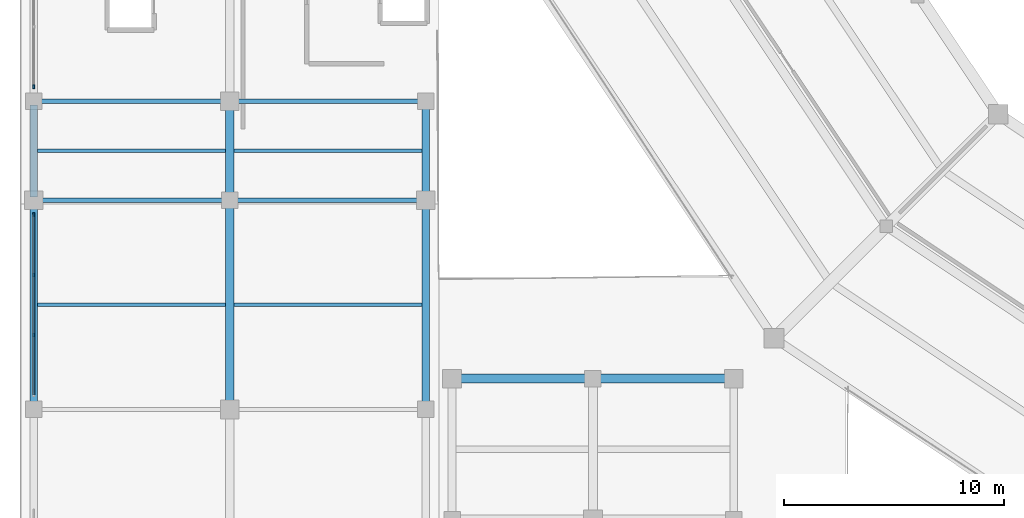
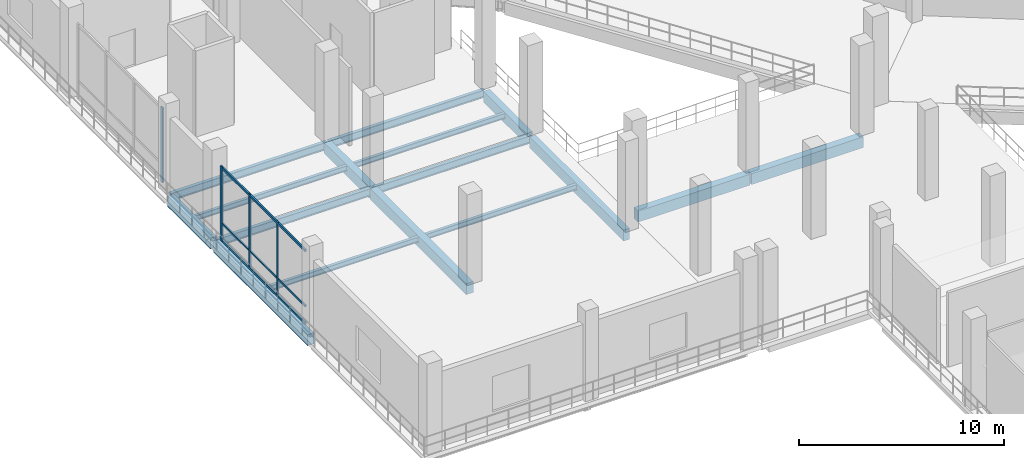
# One storey, part 16 of 114: 16 beams, 7 members, 2 elements without a shape of their own.
"""IFC4 building model written with IfcOpenShell, lengths in metres."""

from ifc_helpers import new_model, si_unit, direction, frame, origin, origin_2d, place, context, subcontext, project, spatial, rectangle, i_section, extrude, material, material_profile, profile_set, type_object, element, aggregate, save


model = new_model("IFC4")

# Units and contexts
model_context = context("Model", 3, precision=1e-05, world=origin(), true_north=direction((0.0, 1.0)))
body_context = subcontext(model_context, "Body", "Model", "MODEL_VIEW")
ifc_project = project(units=[si_unit("LENGTHUNIT", "METRE"), si_unit("AREAUNIT", "SQUARE_METRE"), si_unit("VOLUMEUNIT", "CUBIC_METRE"), si_unit("PLANEANGLEUNIT", "RADIAN"), si_unit("MASSUNIT", "GRAM", prefix="KILO")], contexts=[model_context])

# Site, building, storey
site_placement = place(None, origin())
site = spatial("IfcSite", under=ifc_project, at=site_placement, CompositionType="ELEMENT")
building_placement = place(site_placement, origin())
building = spatial("IfcBuilding", under=site, at=building_placement, Name="Candeia Ridge Stadium", CompositionType="ELEMENT")
storey_placement = place(building_placement, frame((0.0, 0.0, 5.39990234375)))
storey = spatial("IfcBuildingStorey", under=building, at=storey_placement, Name="L01", CompositionType="ELEMENT", Elevation=5.39990234375)

# Curtain wall, member
ifc_material_1 = material(Name="Aluminium Anodized Warm Bronze", Category="aluminium")
curtain_wall_type = type_object("IfcCurtainWallType", Name="Cardinal Entrance Gate Tall Glazed Curtain Wall", PredefinedType="NOTDEFINED", material=ifc_material_1)
curtain_wall_1_placement = place(storey_placement, origin())
curtain_wall_1 = element("IfcCurtainWall", 1, at=curtain_wall_1_placement, inside=storey, type_object=curtain_wall_type, Name="Unitised curtain wall CW-WNG-L01-075", PredefinedType="NOTDEFINED")
ifc_material_profile_1 = material_profile(ifc_material_1, rectangle(XDim=0.090087890625, YDim=0.179931640625, at=origin_2d()), Name="CWM-90x180", Category="aluminium")
ifc_profile_set_1 = profile_set([ifc_material_profile_1], Name="Aluminium Anodized Warm Bronze")
member_type_1 = type_object("IfcMemberType", Name="Curtain Wall Primary Mullion 90x180", PredefinedType="MULLION", material=ifc_profile_set_1)
member_1_placement = place(storey_placement, frame((0.60009765625, 39.840087890625, 0.0), z_axis=(0.0, 0.0, 1.0), x_axis=(1.0, 0.0, 0.0)))
member_1 = element("IfcMember", 2, at=member_1_placement, type_object=member_type_1, Name="Curtain wall mullion CW-WNG-L01-075-M3", PredefinedType="MULLION", context=body_context, shape_type="SweptSolid", body=[
    extrude(rectangle(XDim=0.090087890625, YDim=0.179931640625, at=origin_2d()), origin(), (0.0, 0.0, 1.0), 4.47509765625),
])

curtain_wall_2_placement = place(storey_placement, origin())
curtain_wall_2 = element("IfcCurtainWall", 3, at=curtain_wall_2_placement, inside=storey, type_object=curtain_wall_type, Name="Unitised curtain wall CW-WNG-L01-076", PredefinedType="NOTDEFINED")
member_2_placement = place(storey_placement, frame((0.60009765625, 45.659912109375, 0.0), z_axis=(0.0, 0.0, 1.0), x_axis=(1.0, 0.0, 0.0)))
member_2 = element("IfcMember", 4, at=member_2_placement, type_object=member_type_1, Name="Curtain wall mullion CW-WNG-L01-076-M0", PredefinedType="MULLION", context=body_context, shape_type="SweptSolid", body=[
    extrude(rectangle(XDim=0.090087890625, YDim=0.179931640625, at=origin_2d()), origin(), (0.0, 0.0, 1.0), 4.47509765625),
])
aggregate(curtain_wall_2, [member_2])

# Member
ifc_material_profile_2 = material_profile(ifc_material_1, rectangle(XDim=0.074951171875, YDim=0.14990234375, at=origin_2d()), Name="CWM-75x150", Category="aluminium")
ifc_profile_set_2 = profile_set([ifc_material_profile_2], Name="Aluminium Anodized Warm Bronze")
member_type_2 = type_object("IfcMemberType", Name="Curtain Wall Secondary Mullion 75x150", PredefinedType="MULLION", material=ifc_profile_set_2)
member_3_placement = place(storey_placement, frame((0.60009765625, 34.38671875, 0.0), z_axis=(0.0, 0.0, 1.0), x_axis=(1.0, 0.0, 0.0)))
member_3 = element("IfcMember", 5, at=member_3_placement, type_object=member_type_2, Name="Curtain wall mullion CW-WNG-L01-075-M1", PredefinedType="MULLION", context=body_context, shape_type="SweptSolid", body=[
    extrude(rectangle(XDim=0.074951171875, YDim=0.14990234375, at=origin_2d()), origin(), (0.0, 0.0, 1.0), 4.47509765625),
])

member_4_placement = place(storey_placement, frame((0.60009765625, 37.11328125, 0.0), z_axis=(0.0, 0.0, 1.0), x_axis=(1.0, 0.0, 0.0)))
member_4 = element("IfcMember", 6, at=member_4_placement, type_object=member_type_2, Name="Curtain wall mullion CW-WNG-L01-075-M2", PredefinedType="MULLION", context=body_context, shape_type="SweptSolid", body=[
    extrude(rectangle(XDim=0.074951171875, YDim=0.14990234375, at=origin_2d()), origin(), (0.0, 0.0, 1.0), 4.47509765625),
])

ifc_material_profile_3 = material_profile(ifc_material_1, rectangle(XDim=0.074951171875, YDim=0.110107421875, at=origin_2d()), Name="CWT-75x110", Category="aluminium")
ifc_profile_set_3 = profile_set([ifc_material_profile_3], Name="Aluminium Anodized Warm Bronze")
member_type_3 = type_object("IfcMemberType", Name="Curtain Wall Secondary Transom 75x110", PredefinedType="USERDEFINED", material=ifc_profile_set_3)
member_5_placement = place(storey_placement, frame((0.60009765625, 31.659912109375, 1.10009765625), z_axis=(0.0, 1.0, 0.0), x_axis=(-1.0, 0.0, 0.0)))
member_5 = element("IfcMember", 7, at=member_5_placement, type_object=member_type_3, Name="Curtain wall transom CW-WNG-L01-075-T1", ObjectType="TRANSOM", PredefinedType="USERDEFINED", context=body_context, shape_type="SweptSolid", body=[
    extrude(rectangle(XDim=0.074951171875, YDim=0.110107421875, at=origin_2d()), origin(), (0.0, 0.0, 1.0), 8.18017578125),
])

ifc_material_profile_4 = material_profile(ifc_material_1, rectangle(XDim=0.090087890625, YDim=0.139892578125, at=origin_2d()), Name="CWT-90x140", Category="aluminium")
ifc_profile_set_4 = profile_set([ifc_material_profile_4], Name="Aluminium Anodized Warm Bronze")
member_type_4 = type_object("IfcMemberType", Name="Curtain Wall Transom 90x140", PredefinedType="USERDEFINED", material=ifc_profile_set_4)
member_6_placement = place(storey_placement, frame((0.60009765625, 31.659912109375, 0.070068359375), z_axis=(0.0, 1.0, 0.0), x_axis=(-1.0, 0.0, 0.0)))
member_6 = element("IfcMember", 8, at=member_6_placement, type_object=member_type_4, Name="Curtain wall transom CW-WNG-L01-075-T0", ObjectType="TRANSOM", PredefinedType="USERDEFINED", context=body_context, shape_type="SweptSolid", body=[
    extrude(rectangle(XDim=0.090087890625, YDim=0.139892578125, at=origin_2d()), origin(), (0.0, 0.0, 1.0), 8.18017578125),
])

member_7_placement = place(storey_placement, frame((0.60009765625, 31.659912109375, 4.405029296875), z_axis=(0.0, 1.0, 0.0), x_axis=(-1.0, 0.0, 0.0)))
member_7 = element("IfcMember", 9, at=member_7_placement, type_object=member_type_4, Name="Curtain wall transom CW-WNG-L01-075-T2", ObjectType="TRANSOM", PredefinedType="USERDEFINED", context=body_context, shape_type="SweptSolid", body=[
    extrude(rectangle(XDim=0.090087890625, YDim=0.139892578125, at=origin_2d()), origin(), (0.0, 0.0, 1.0), 8.18017578125),
])

aggregate(curtain_wall_1, [member_3, member_4, member_1, member_6, member_5, member_7])

# Beams
ifc_material_2 = material(Name="Steel ASTM A572 Grade 50", Category="steel")
ifc_material_profile_5 = material_profile(ifc_material_2, i_section(OverallWidth=0.1669921875, OverallDepth=0.31689453125, WebThickness=0.007568359375, FlangeThickness=0.01318359375, FilletRadius=0.011962890625, at=origin_2d()), Name="W310x52", Category="steel")
ifc_profile_set_5 = profile_set([ifc_material_profile_5], Name="Steel ASTM A572 Grade 50")
beam_type_1 = type_object("IfcBeamType", Name="Pavilion Secondary Joist W310x52", PredefinedType="JOIST", material=ifc_profile_set_5)
for number, where, z_axis, x_axis, name in (
    (10, (0.7744140625, 35.75, -0.41845703125), (1.0, 0.0, 0.0), (0.0, 1.0, 0.0), "Wing secondary joist BM-L01-1074"),
    (11, (0.7744140625, 42.75, -0.41845703125), (1.0, 0.0, 0.0), (0.0, 1.0, 0.0), "Wing secondary joist BM-L01-1076"),
    (12, (9.699462890625, 35.75, -0.41845703125), (1.0, 0.0, 0.0), (0.0, 1.0, 0.0), "Wing secondary joist BM-L01-1092"),
    (13, (9.699462890625, 42.75, -0.41845703125), (1.0, 0.0, 0.0), (0.0, 1.0, 0.0), "Wing secondary joist BM-L01-1094"),
):
    element("IfcBeam", number, at=place(storey_placement, frame(where, z_axis=z_axis, x_axis=x_axis)), inside=storey, type_object=beam_type_1, Name=name, PredefinedType="JOIST", context=body_context, shape_type="SweptSolid", body=[
        extrude(i_section(OverallWidth=0.1669921875, OverallDepth=0.31689453125, WebThickness=0.007568359375, FlangeThickness=0.01318359375, FilletRadius=0.011962890625, at=origin_2d()), origin(), (0.0, 0.0, 1.0), 8.526123046875),
    ])
ifc_material_profile_6 = material_profile(ifc_material_2, i_section(OverallWidth=0.18994140625, OverallDepth=0.45703125, WebThickness=0.009033203125, FlangeThickness=0.014404296875, FilletRadius=0.012939453125, at=origin_2d()), Name="W460x74", Category="steel")
ifc_profile_set_6 = profile_set([ifc_material_profile_6], Name="Steel ASTM A572 Grade 50")
beam_type_2 = type_object("IfcBeamType", Name="Pavilion Steel Girder W460x74", PredefinedType="BEAM", material=ifc_profile_set_6)
for number, where, z_axis, x_axis, name in (
    (14, (0.64990234375, 40.5, -0.48828125), (1.0, 0.0, 0.0), (0.0, 1.0, 0.0), "Structural girder BM-L01-1075"),
    (15, (0.64990234375, 45.0, -0.48828125), (1.0, 0.0, 0.0), (0.0, 1.0, 0.0), "Structural girder BM-L01-1077"),
    (16, (9.550048828125, 40.5, -0.48828125), (1.0, 0.0, 0.0), (0.0, 1.0, 0.0), "Structural girder BM-L01-1093"),
    (17, (9.550048828125, 45.0, -0.48828125), (1.0, 0.0, 0.0), (0.0, 1.0, 0.0), "Structural girder BM-L01-1095"),
):
    element("IfcBeam", number, at=place(storey_placement, frame(where, z_axis=z_axis, x_axis=x_axis)), inside=storey, type_object=beam_type_2, Name=name, PredefinedType="BEAM", context=body_context, shape_type="SweptSolid", body=[
        extrude(i_section(OverallWidth=0.18994140625, OverallDepth=0.45703125, WebThickness=0.009033203125, FlangeThickness=0.014404296875, FilletRadius=0.012939453125, at=origin_2d()), origin(), (0.0, 0.0, 1.0), 8.800048828125),
    ])
ifc_material_3 = material(Name="Concrete C40/50", Category="concrete")
ifc_material_profile_7 = material_profile(ifc_material_3, rectangle(XDim=0.35009765625, YDim=0.64990234375, at=origin_2d()), Name="RC350x650", Category="concrete")
ifc_profile_set_7 = profile_set([ifc_material_profile_7], Name="Concrete C40/50")
beam_type_3 = type_object("IfcBeamType", Name="Spandrel Beam RC350x650", PredefinedType="SPANDREL", material=ifc_profile_set_7)
beam_1_placement = place(storey_placement, frame((0.60009765625, 31.159912109375, -0.5849609375), z_axis=(0.0, 1.0, 0.0), x_axis=(-1.0, 0.0, 0.0)))
element("IfcBeam", 18, at=beam_1_placement, inside=storey, type_object=beam_type_3, Name="Structural girder BM-L01-1034", PredefinedType="SPANDREL", context=body_context, shape_type="SweptSolid", body=[
    extrude(rectangle(XDim=0.35009765625, YDim=0.64990234375, at=origin_2d()), origin(), (0.0, 0.0, 1.0), 9.18017578125),
])
beam_2_placement = place(storey_placement, frame((0.60009765625, 40.659912109375, -0.5849609375), z_axis=(0.0, 1.0, 0.0), x_axis=(-1.0, 0.0, 0.0)))
element("IfcBeam", 19, at=beam_2_placement, inside=storey, type_object=beam_type_3, Name="Structural girder BM-L01-1035", PredefinedType="SPANDREL", context=body_context, shape_type="SweptSolid", body=[
    extrude(rectangle(XDim=0.35009765625, YDim=0.64990234375, at=origin_2d()), origin(), (0.0, 0.0, 1.0), 4.18017578125),
])
beam_3_placement = place(storey_placement, frame((18.39990234375, 31.159912109375, -0.5849609375), z_axis=(0.0, 1.0, 0.0), x_axis=(-1.0, 0.0, 0.0)))
element("IfcBeam", 20, at=beam_3_placement, inside=storey, type_object=beam_type_3, Name="Structural girder BM-L01-1060", PredefinedType="SPANDREL", context=body_context, shape_type="SweptSolid", body=[
    extrude(rectangle(XDim=0.35009765625, YDim=0.64990234375, at=origin_2d()), origin(), (0.0, 0.0, 1.0), 9.18017578125),
])
beam_4_placement = place(storey_placement, frame((18.39990234375, 40.659912109375, -0.5849609375), z_axis=(0.0, 1.0, 0.0), x_axis=(-1.0, 0.0, 0.0)))
element("IfcBeam", 21, at=beam_4_placement, inside=storey, type_object=beam_type_3, Name="Structural girder BM-L01-1061", PredefinedType="SPANDREL", context=body_context, shape_type="SweptSolid", body=[
    extrude(rectangle(XDim=0.35009765625, YDim=0.64990234375, at=origin_2d()), origin(), (0.0, 0.0, 1.0), 4.18017578125),
])
ifc_material_profile_8 = material_profile(ifc_material_3, rectangle(XDim=0.39990234375, YDim=0.64990234375, at=origin_2d()), Name="RC400x650", Category="concrete")
ifc_profile_set_8 = profile_set([ifc_material_profile_8], Name="Concrete C40/50")
beam_type_4 = type_object("IfcBeamType", Name="Wing Primary Girder RC400x650", PredefinedType="BEAM", material=ifc_profile_set_8)
beam_5_placement = place(storey_placement, frame((9.5, 31.050048828125, -0.5849609375), z_axis=(0.0, 1.0, 0.0), x_axis=(-1.0, 0.0, 0.0)))
element("IfcBeam", 22, at=beam_5_placement, inside=storey, type_object=beam_type_4, Name="Structural girder BM-L01-1048", PredefinedType="BEAM", context=body_context, shape_type="SweptSolid", body=[
    extrude(rectangle(XDim=0.39990234375, YDim=0.64990234375, at=origin_2d()), origin(), (0.0, 0.0, 1.0), 9.39990234375),
])
beam_6_placement = place(storey_placement, frame((9.5, 40.550048828125, -0.5849609375), z_axis=(0.0, 1.0, 0.0), x_axis=(-1.0, 0.0, 0.0)))
element("IfcBeam", 23, at=beam_6_placement, inside=storey, type_object=beam_type_4, Name="Structural girder BM-L01-1049", PredefinedType="BEAM", context=body_context, shape_type="SweptSolid", body=[
    extrude(rectangle(XDim=0.39990234375, YDim=0.64990234375, at=origin_2d()), origin(), (0.0, 0.0, 1.0), 4.39990234375),
])
for number, where, z_axis, x_axis, name in (
    (24, (19.64990234375, 32.39990234375, -0.5849609375), (1.0, 0.0, 0.0), (0.0, 1.0, 0.0), "Structural girder BM-L01-2070"),
    (25, (26.050048828125, 32.39990234375, -0.5849609375), (1.0, 0.0, 0.0), (0.0, 1.0, 0.0), "Structural girder BM-L01-2075"),
):
    element("IfcBeam", number, at=place(storey_placement, frame(where, z_axis=z_axis, x_axis=x_axis)), inside=storey, type_object=beam_type_4, Name=name, PredefinedType="BEAM", context=body_context, shape_type="SweptSolid", body=[
        extrude(rectangle(XDim=0.39990234375, YDim=0.64990234375, at=origin_2d()), origin(), (0.0, 0.0, 1.0), 6.300048828125),
    ])

save(model, "model.ifc")
